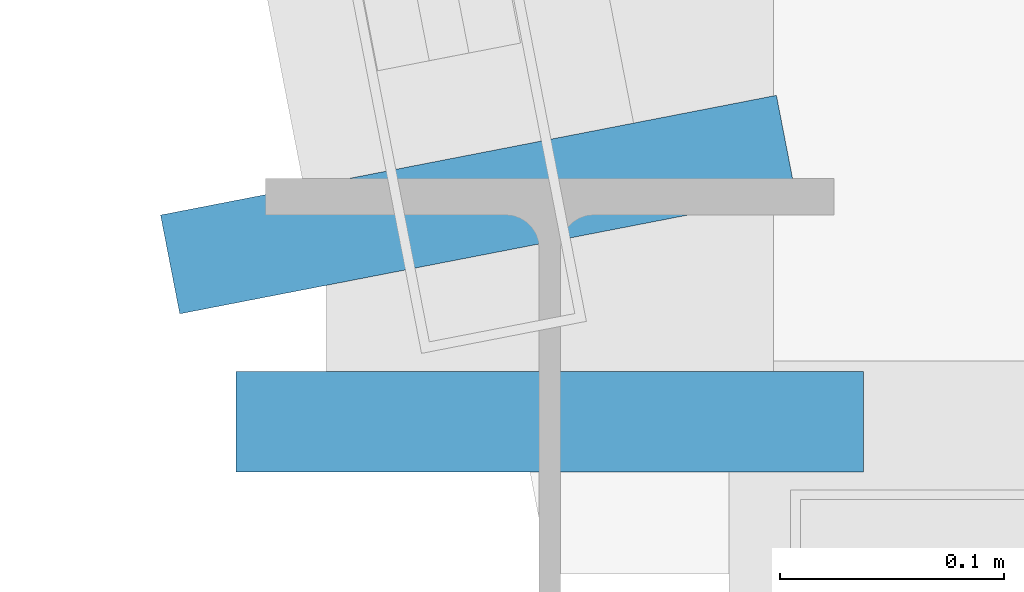
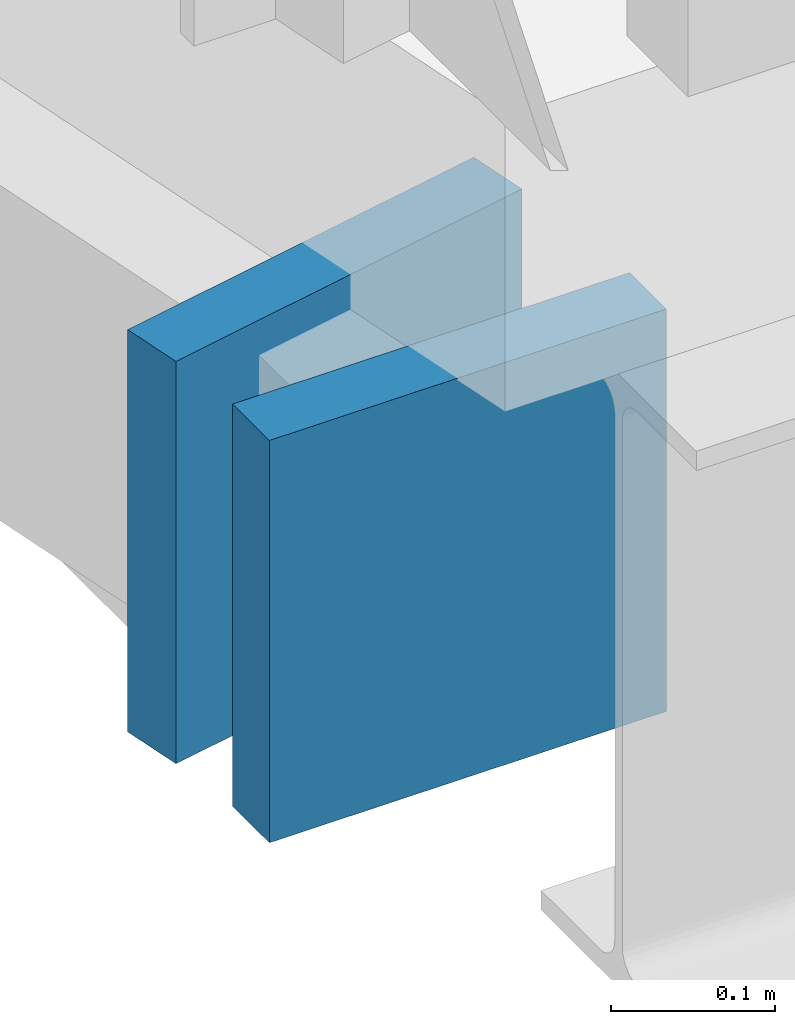
# One storey, part 147 of 174: 2 plates.
"""IFC4 building model written with IfcOpenShell, lengths in metres."""

from ifc_helpers import new_model, si_unit, direction, frame, origin, origin_2d, place, context, subcontext, project, spatial, rectangle, extrude, material, layer, layer_set, type_object, element, save


model = new_model("IFC4")

# Units and contexts
model_context = context("Model", 3, precision=1e-05, world=origin(), true_north=direction((0.0, 1.0)))
body_context = subcontext(model_context, "Body", "Model", "MODEL_VIEW")
ifc_project = project(units=[si_unit("LENGTHUNIT", "METRE"), si_unit("AREAUNIT", "SQUARE_METRE"), si_unit("VOLUMEUNIT", "CUBIC_METRE"), si_unit("PLANEANGLEUNIT", "RADIAN"), si_unit("MASSUNIT", "GRAM", prefix="KILO")], contexts=[model_context])

# Site, building, storey
site_placement = place(None, origin())
site = spatial("IfcSite", under=ifc_project, at=site_placement, CompositionType="ELEMENT")
building_placement = place(site_placement, origin())
building = spatial("IfcBuilding", under=site, at=building_placement, Name="Caisbarro Railhouse Central Library", CompositionType="ELEMENT")
storey_placement = place(building_placement, frame((0.0, 0.0, 5.0400390625)))
storey = spatial("IfcBuildingStorey", under=building, at=storey_placement, Name="L01", CompositionType="ELEMENT", Elevation=5.0400390625)

# Plates
ifc_material = material(Name="Steel ASTM A572 Grade 50", Category="steel")
ifc_layer = layer(ifc_material, 0.044921875, Name="Steel ASTM A572 Grade 50")
ifc_layer_set = layer_set([ifc_layer], Name="Steel ASTM A572 Grade 50")
plate_type = type_object("IfcPlateType", Name="PLT-EP01", PredefinedType="SHEET", material=ifc_layer_set)
for number, where, z_axis, x_axis, name in (
    (1, (117.0, 60.867919921875, -0.52001953125), (0.0, 0.0, 1.0), (0.0, 1.0, 0.0), "EP01 end cap plate"),
    (2, (116.968017578125, 60.96484375, -0.4951171875), (0.0, 0.0, 1.0), (-0.190808995377, 0.981627183448, 0.0), "EP01 end cap plate"),
):
    element("IfcPlate", number, at=place(storey_placement, frame(where, z_axis=z_axis, x_axis=x_axis)), inside=storey, type_object=plate_type, Name=name, PredefinedType="SHEET", context=body_context, shape_type="SweptSolid", body=[
        extrude(rectangle(XDim=0.044921875, YDim=0.280029296875, at=origin_2d()), origin(), (0.0, 0.0, 1.0), 0.300048828125),
    ])

save(model, "model.ifc")
